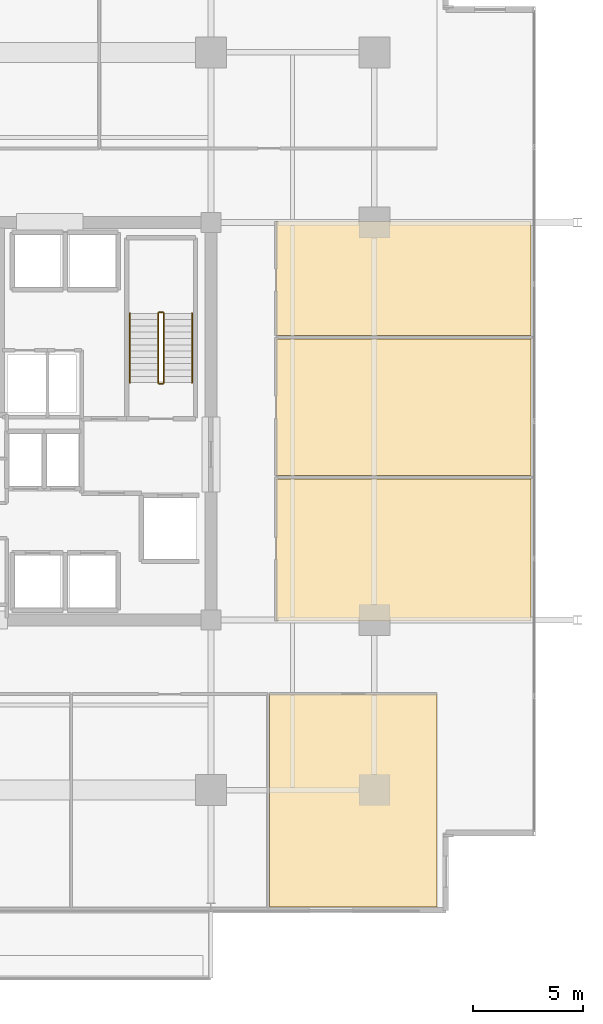
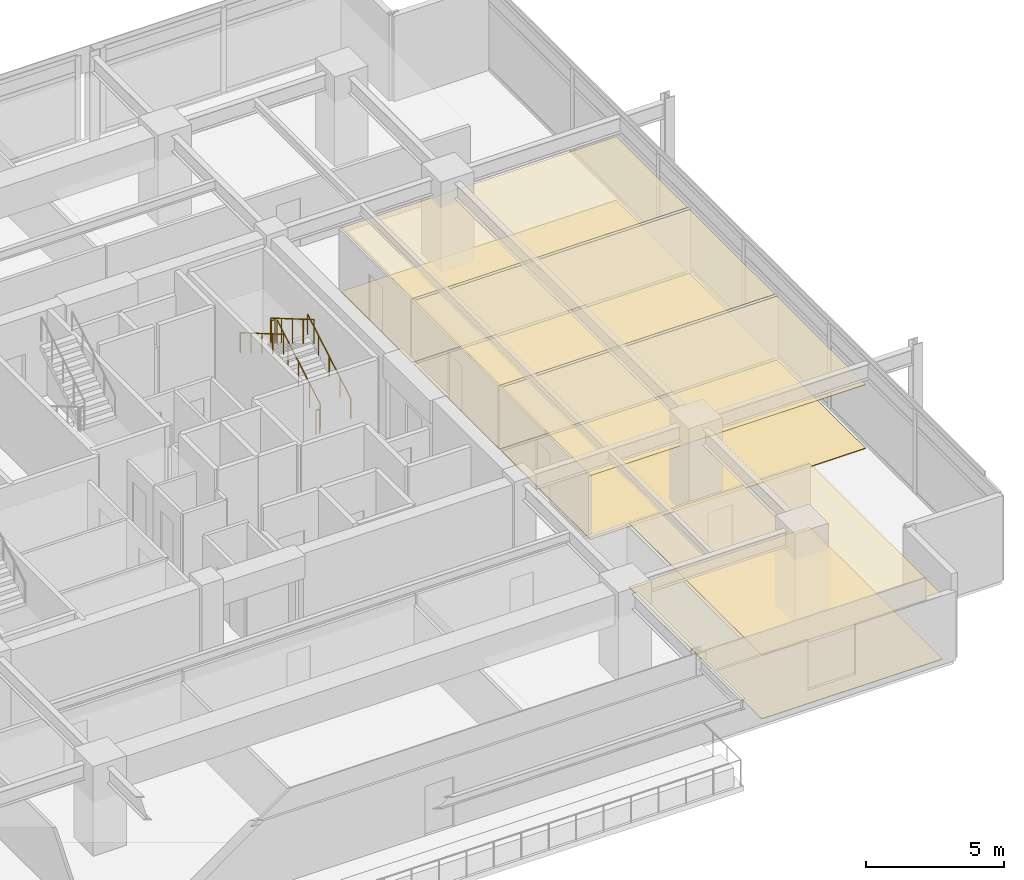
# One storey, part 21 of 23: 8 coverings, 6 railings.
"""IFC4 building model written with IfcOpenShell, lengths in metres."""

from ifc_helpers import new_model, si_unit, direction, frame, origin, origin_2d, place, context, subcontext, project, spatial, polyline, circle, outline, extrude, material, layer, layer_set, type_object, element, save


model = new_model("IFC4")

# Units and contexts
model_context = context("Model", 3, precision=1e-05, world=origin(), true_north=direction((0.0, 1.0)))
body_context = subcontext(model_context, "Body", "Model", "MODEL_VIEW")
ifc_project = project(units=[si_unit("LENGTHUNIT", "METRE"), si_unit("AREAUNIT", "SQUARE_METRE"), si_unit("VOLUMEUNIT", "CUBIC_METRE"), si_unit("PLANEANGLEUNIT", "RADIAN"), si_unit("MASSUNIT", "GRAM", prefix="KILO")], contexts=[model_context])

# Site, building, storey
site_placement = place(None, origin())
site = spatial("IfcSite", under=ifc_project, at=site_placement, CompositionType="ELEMENT")
building_placement = place(site_placement, origin())
building = spatial("IfcBuilding", under=site, at=building_placement, Name="Kovane Verandah Tower", CompositionType="ELEMENT")
storey_placement = place(building_placement, frame((0.0, 0.0, 221.199951171875)))
storey = spatial("IfcBuildingStorey", under=building, at=storey_placement, Name="L51", CompositionType="ELEMENT", Elevation=221.199951171875)

# Coverings
ifc_material_1 = material(Name="Perforated Acoustic Mineral-Fibre Ceiling Tile", Category="gypsum")
ifc_layer_1 = layer(ifc_material_1, 0.02490234375)
ifc_layer_set_1 = layer_set([ifc_layer_1], Name="Perforated Acoustic Mineral-Fibre Ceiling Tile")
covering_type_1 = type_object("IfcCoveringType", Name="CV-CEIL-25", PredefinedType="CEILING", material=ifc_layer_set_1)
covering_1_placement = place(storey_placement, frame((0.0, 0.0, 2.824951171875)))
element("IfcCovering", 1, at=covering_1_placement, inside=storey, type_object=covering_type_1, Name="L51 Executive Office S5 Acoustic Ceiling", PredefinedType="CEILING", context=body_context, shape_type="SweptSolid", body=[
    extrude(outline(polyline([(53.657958984375, 5.509521484375), (61.231201171875, 5.509521484375), (61.231201171875, 15.14990234375), (53.657958984375, 15.14990234375), (53.657958984375, 5.509521484375)])), origin(), (0.0, 0.0, 1.0), 0.025146484375),
])
covering_2_placement = place(storey_placement, frame((0.0, 0.0, 2.824951171875)))
element("IfcCovering", 2, at=covering_2_placement, inside=storey, type_object=covering_type_1, Name="L51 Breakout Pantry E1 Acoustic Ceiling", PredefinedType="CEILING", context=body_context, shape_type="SweptSolid", body=[
    extrude(outline(polyline([(53.949951171875, 18.449951171875), (65.481201171875, 18.449951171875), (65.481201171875, 24.89599609375), (53.949951171875, 24.89599609375), (53.949951171875, 18.449951171875)])), origin(), (0.0, 0.0, 1.0), 0.025146484375),
])
covering_3_placement = place(storey_placement, frame((0.0, 0.0, 2.824951171875)))
element("IfcCovering", 3, at=covering_3_placement, inside=storey, type_object=covering_type_1, Name="L51 Collaboration Hub E2 Acoustic Ceiling", PredefinedType="CEILING", context=body_context, shape_type="SweptSolid", body=[
    extrude(outline(polyline([(53.949951171875, 25.035888671875), (65.481201171875, 25.035888671875), (65.481201171875, 31.23095703125), (53.949951171875, 31.23095703125), (53.949951171875, 25.035888671875)])), origin(), (0.0, 0.0, 1.0), 0.025146484375),
])
covering_4_placement = place(storey_placement, frame((0.0, 0.0, 2.824951171875)))
element("IfcCovering", 4, at=covering_4_placement, inside=storey, type_object=covering_type_1, Name="L51 Document and Print Room E3 Acoustic Ceiling", PredefinedType="CEILING", context=body_context, shape_type="SweptSolid", body=[
    extrude(outline(polyline([(53.949951171875, 31.37109375), (65.481201171875, 31.37109375), (65.481201171875, 36.550048828125), (53.949951171875, 36.550048828125), (53.949951171875, 31.37109375)])), origin(), (0.0, 0.0, 1.0), 0.025146484375),
])
ifc_material_2 = material(Name="Polished Terrazzo and Raised-Access Carpet Tile Finish", Category="concrete")
ifc_layer_2 = layer(ifc_material_2, 0.030029296875)
ifc_layer_set_2 = layer_set([ifc_layer_2], Name="Polished Terrazzo and Raised-Access Carpet Tile Finish")
covering_type_2 = type_object("IfcCoveringType", Name="CV-FLOR-30", PredefinedType="FLOORING", material=ifc_layer_set_2)
covering_5_placement = place(storey_placement, origin())
element("IfcCovering", 5, at=covering_5_placement, inside=storey, type_object=covering_type_2, Name="L51 Executive Office S5 Floor Finish", PredefinedType="FLOORING", context=body_context, shape_type="SweptSolid", body=[
    extrude(outline(polyline([(53.657958984375, 5.509521484375), (61.231201171875, 5.509521484375), (61.231201171875, 15.14990234375), (53.657958984375, 15.14990234375), (53.657958984375, 5.509521484375)])), origin(), (0.0, 0.0, 1.0), 0.030029296875),
])
covering_6_placement = place(storey_placement, origin())
element("IfcCovering", 6, at=covering_6_placement, inside=storey, type_object=covering_type_2, Name="L51 Breakout Pantry E1 Floor Finish", PredefinedType="FLOORING", context=body_context, shape_type="SweptSolid", body=[
    extrude(outline(polyline([(53.949951171875, 18.449951171875), (65.481201171875, 18.449951171875), (65.481201171875, 24.89599609375), (53.949951171875, 24.89599609375), (53.949951171875, 18.449951171875)])), origin(), (0.0, 0.0, 1.0), 0.030029296875),
])
covering_7_placement = place(storey_placement, origin())
element("IfcCovering", 7, at=covering_7_placement, inside=storey, type_object=covering_type_2, Name="L51 Collaboration Hub E2 Floor Finish", PredefinedType="FLOORING", context=body_context, shape_type="SweptSolid", body=[
    extrude(outline(polyline([(53.949951171875, 25.035888671875), (65.481201171875, 25.035888671875), (65.481201171875, 31.23095703125), (53.949951171875, 31.23095703125), (53.949951171875, 25.035888671875)])), origin(), (0.0, 0.0, 1.0), 0.030029296875),
])
covering_8_placement = place(storey_placement, origin())
element("IfcCovering", 8, at=covering_8_placement, inside=storey, type_object=covering_type_2, Name="L51 Document and Print Room E3 Floor Finish", PredefinedType="FLOORING", context=body_context, shape_type="SweptSolid", body=[
    extrude(outline(polyline([(53.949951171875, 31.37109375), (65.481201171875, 31.37109375), (65.481201171875, 36.550048828125), (53.949951171875, 36.550048828125), (53.949951171875, 31.37109375)])), origin(), (0.0, 0.0, 1.0), 0.030029296875),
])

# Railings
ifc_material_3 = material(Name="Brushed Stainless Steel Handrail", Category="steel")
railing_type_1 = type_object("IfcRailingType", Name="RL-HAND-920", PredefinedType="HANDRAIL", material=ifc_material_3)
railing_1_placement = place(storey_placement, frame((50.14990234375, 29.25, 0.166748046875)))
element("IfcRailing", 9, at=railing_1_placement, inside=storey, type_object=railing_type_1, Name="L51 ST-02 stair handrail 1", PredefinedType="HANDRAIL", context=body_context, shape_type="SweptSolid", body=[
    extrude(circle(Radius=0.02392578125, at=origin_2d()), frame((0.0, 0.0, 0.8759765625), z_axis=(0.0, 0.863239559939, 0.504794475164), x_axis=(-1.0, 0.0, 0.0)), (0.0, 0.0, 1.0), 3.631591796875),
    extrude(circle(Radius=0.02099609375, at=origin_2d()), origin(), (0.0, 0.0, 1.0), 0.851806640625),
    extrude(circle(Radius=0.02099609375, at=origin_2d()), frame((0.0, 0.78369140625, 0.458251953125)), (0.0, 0.0, 1.0), 0.851806640625),
    extrude(circle(Radius=0.02099609375, at=origin_2d()), frame((0.0, 1.5673828125, 0.91650390625)), (0.0, 0.0, 1.0), 0.851806640625),
    extrude(circle(Radius=0.02099609375, at=origin_2d()), frame((0.0, 2.351318359375, 1.375)), (0.0, 0.0, 1.0), 0.851806640625),
    extrude(circle(Radius=0.02099609375, at=origin_2d()), frame((0.0, 3.135009765625, 1.833251953125)), (0.0, 0.0, 1.0), 0.851806640625),
])
railing_2_placement = place(storey_placement, frame((47.330078125, 32.385009765625, 2.166748046875)))
element("IfcRailing", 10, at=railing_2_placement, inside=storey, type_object=railing_type_1, Name="L51 ST-02 stair handrail 2", PredefinedType="HANDRAIL", context=body_context, shape_type="SweptSolid", body=[
    extrude(circle(Radius=0.02392578125, at=origin_2d()), frame((0.0, 0.0, 0.8759765625), z_axis=(0.0, -0.863239559939, 0.504794475164), x_axis=(1.0, 0.0, 0.0)), (0.0, 0.0, 1.0), 3.631591796875),
    extrude(circle(Radius=0.02099609375, at=origin_2d()), origin(), (0.0, 0.0, 1.0), 0.851806640625),
    extrude(circle(Radius=0.02099609375, at=origin_2d()), frame((0.0, -0.78369140625, 0.458251953125)), (0.0, 0.0, 1.0), 0.851806640625),
    extrude(circle(Radius=0.02099609375, at=origin_2d()), frame((0.0, -1.5673828125, 0.91650390625)), (0.0, 0.0, 1.0), 0.851806640625),
    extrude(circle(Radius=0.02099609375, at=origin_2d()), frame((0.0, -2.351318359375, 1.375)), (0.0, 0.0, 1.0), 0.851806640625),
    extrude(circle(Radius=0.02099609375, at=origin_2d()), frame((0.0, -3.135009765625, 1.833251953125)), (0.0, 0.0, 1.0), 0.851806640625),
])
ifc_material_4 = material(Name="Painted Steel Stairwell Guardrail", Category="steel")
railing_type_2 = type_object("IfcRailingType", Name="RL-STGUARD-1120", PredefinedType="GUARDRAIL", material=ifc_material_4)
railing_3_placement = place(storey_placement, frame((48.8701171875, 29.25, 0.166748046875)))
element("IfcRailing", 11, at=railing_3_placement, inside=storey, type_object=railing_type_2, Name="L51 ST-02 stair guard 1", PredefinedType="GUARDRAIL", context=body_context, shape_type="SweptSolid", body=[
    extrude(circle(Radius=0.02392578125, at=origin_2d()), frame((0.0, 0.0, 1.076171875), z_axis=(0.0, 0.863239559939, 0.504794475164), x_axis=(-1.0, 0.0, 0.0)), (0.0, 0.0, 1.0), 3.631591796875),
    extrude(circle(Radius=0.02099609375, at=origin_2d()), origin(), (0.0, 0.0, 1.0), 1.052001953125),
    extrude(circle(Radius=0.02099609375, at=origin_2d()), frame((0.0, 0.78369140625, 0.458251953125)), (0.0, 0.0, 1.0), 1.052001953125),
    extrude(circle(Radius=0.02099609375, at=origin_2d()), frame((0.0, 1.5673828125, 0.91650390625)), (0.0, 0.0, 1.0), 1.052001953125),
    extrude(circle(Radius=0.02099609375, at=origin_2d()), frame((0.0, 2.351318359375, 1.375)), (0.0, 0.0, 1.0), 1.052001953125),
    extrude(circle(Radius=0.02099609375, at=origin_2d()), frame((0.0, 3.135009765625, 1.833251953125)), (0.0, 0.0, 1.0), 1.052001953125),
])
railing_4_placement = place(storey_placement, frame((48.820068359375, 32.43505859375, 2.0)))
element("IfcRailing", 12, at=railing_4_placement, inside=storey, type_object=railing_type_2, Name="L51 ST-02 stair guard 2", PredefinedType="GUARDRAIL", context=body_context, shape_type="SweptSolid", body=[
    extrude(circle(Radius=0.02392578125, at=origin_2d()), frame((0.0, 0.0, 1.076171875), z_axis=(-1.0, 0.0, 0.0), x_axis=(0.0, -1.0, 0.0)), (0.0, 0.0, 1.0), 0.16015625),
    extrude(circle(Radius=0.02099609375, at=origin_2d()), origin(), (0.0, 0.0, 1.0), 1.052001953125),
    extrude(circle(Radius=0.02099609375, at=origin_2d()), frame((-0.16015625, 0.0, 0.0)), (0.0, 0.0, 1.0), 1.052001953125),
])
railing_5_placement = place(storey_placement, frame((48.610107421875, 32.385009765625, 2.166748046875)))
element("IfcRailing", 13, at=railing_5_placement, inside=storey, type_object=railing_type_2, Name="L51 ST-02 stair guard 3", PredefinedType="GUARDRAIL", context=body_context, shape_type="SweptSolid", body=[
    extrude(circle(Radius=0.02392578125, at=origin_2d()), frame((0.0, 0.0, 1.076171875), z_axis=(0.0, -0.863239559939, 0.504794475164), x_axis=(1.0, 0.0, 0.0)), (0.0, 0.0, 1.0), 3.631591796875),
    extrude(circle(Radius=0.02099609375, at=origin_2d()), origin(), (0.0, 0.0, 1.0), 1.052001953125),
    extrude(circle(Radius=0.02099609375, at=origin_2d()), frame((0.0, -0.78369140625, 0.458251953125)), (0.0, 0.0, 1.0), 1.052001953125),
    extrude(circle(Radius=0.02099609375, at=origin_2d()), frame((0.0, -1.5673828125, 0.91650390625)), (0.0, 0.0, 1.0), 1.052001953125),
    extrude(circle(Radius=0.02099609375, at=origin_2d()), frame((0.0, -2.351318359375, 1.375)), (0.0, 0.0, 1.0), 1.052001953125),
    extrude(circle(Radius=0.02099609375, at=origin_2d()), frame((0.0, -3.135009765625, 1.833251953125)), (0.0, 0.0, 1.0), 1.052001953125),
])
railing_6_placement = place(storey_placement, frame((48.820068359375, 29.199951171875, 0.0)))
element("IfcRailing", 14, at=railing_6_placement, inside=storey, type_object=railing_type_2, Name="L51 ST-02 stair guard 4", PredefinedType="GUARDRAIL", context=body_context, shape_type="SweptSolid", body=[
    extrude(circle(Radius=0.02392578125, at=origin_2d()), frame((0.0, 0.0, 1.076171875), z_axis=(-1.0, 0.0, 0.0), x_axis=(0.0, -1.0, 0.0)), (0.0, 0.0, 1.0), 0.16015625),
    extrude(circle(Radius=0.02099609375, at=origin_2d()), origin(), (0.0, 0.0, 1.0), 1.052001953125),
    extrude(circle(Radius=0.02099609375, at=origin_2d()), frame((-0.16015625, 0.0, 0.0)), (0.0, 0.0, 1.0), 1.052001953125),
])

save(model, "model.ifc")
